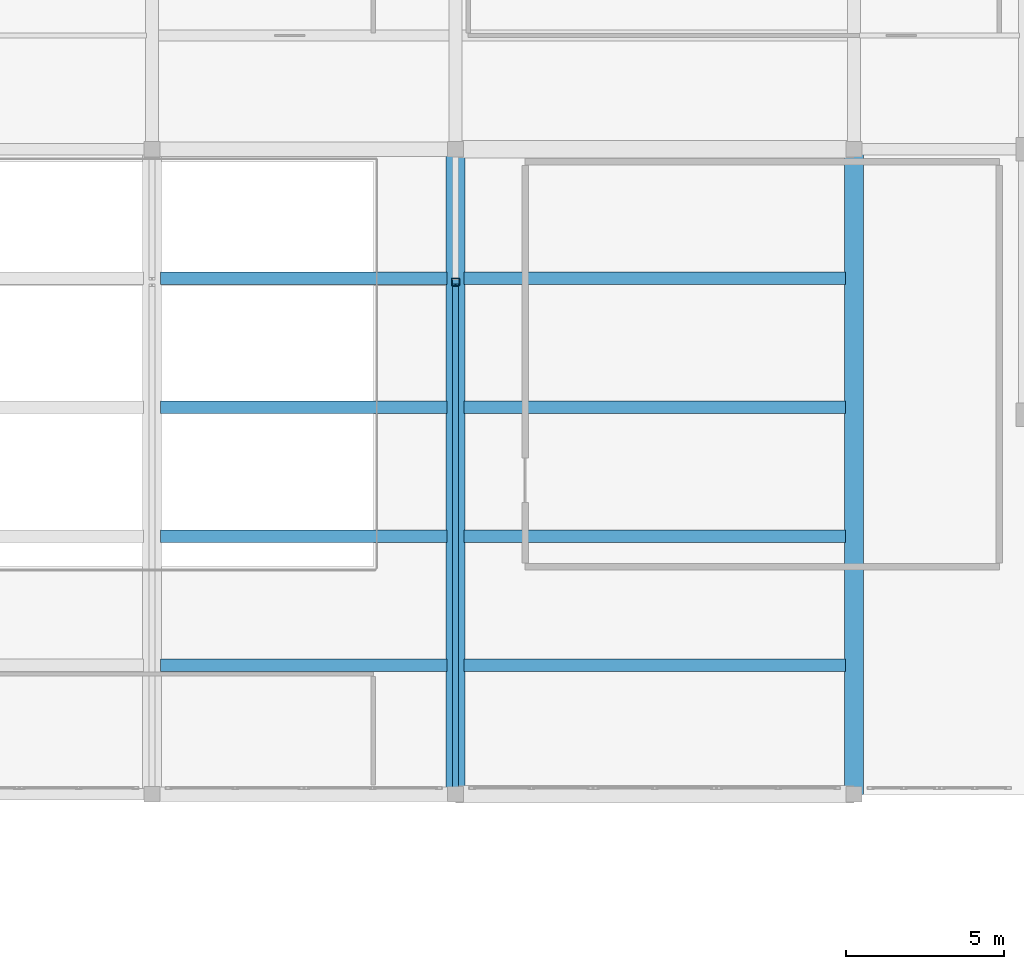
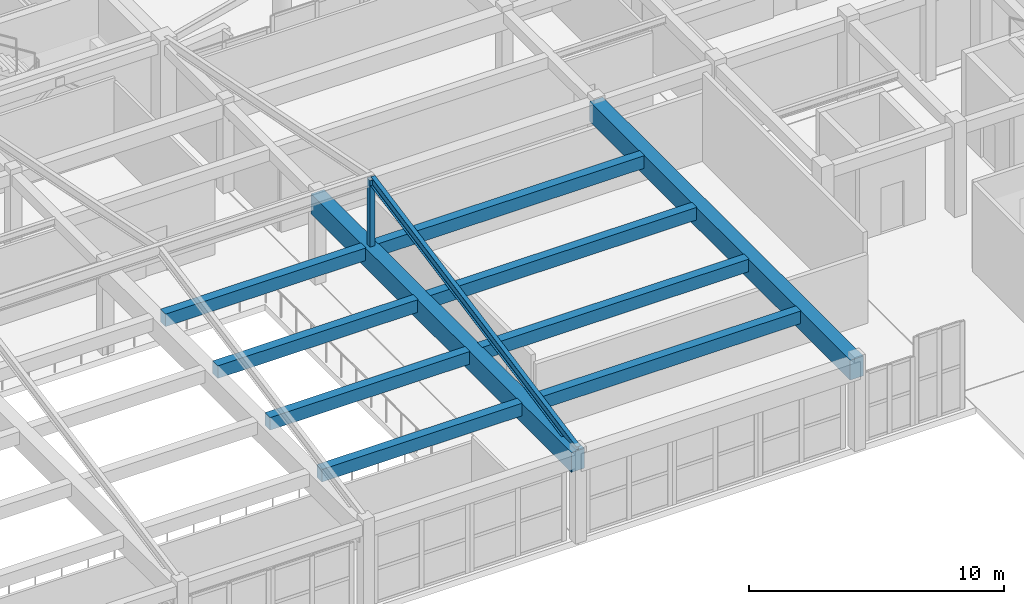
# One storey, part 33 of 91: 11 beams, 1 member.
"""IFC4 building model written with IfcOpenShell, lengths in metres."""

from ifc_helpers import new_model, si_unit, direction, frame, origin, origin_2d, place, context, subcontext, project, spatial, rectangle, hollow_rectangle, i_section, extrude, material, material_profile, profile_set, type_object, element, save


model = new_model("IFC4")

# Units and contexts
model_context = context("Model", 3, precision=1e-05, world=origin(), true_north=direction((0.0, 1.0)))
body_context = subcontext(model_context, "Body", "Model", "MODEL_VIEW")
ifc_project = project(units=[si_unit("LENGTHUNIT", "METRE"), si_unit("AREAUNIT", "SQUARE_METRE"), si_unit("VOLUMEUNIT", "CUBIC_METRE"), si_unit("PLANEANGLEUNIT", "RADIAN"), si_unit("MASSUNIT", "GRAM", prefix="KILO")], contexts=[model_context])

# Site, building, storey
site_placement = place(None, origin())
site = spatial("IfcSite", under=ifc_project, at=site_placement, CompositionType="ELEMENT")
building_placement = place(site_placement, origin())
building = spatial("IfcBuilding", under=site, at=building_placement, Name="Tarnavel Promenade Courthouse", CompositionType="ELEMENT")
storey_placement = place(building_placement, frame((0.0, 0.0, 9.89990234375)))
storey = spatial("IfcBuildingStorey", under=building, at=storey_placement, Name="L03", CompositionType="ELEMENT", Elevation=9.89990234375)

# Beams
ifc_material_1 = material(Name="Concrete C40/50", Category="concrete")
ifc_material_profile_1 = material_profile(ifc_material_1, rectangle(XDim=0.39990234375, YDim=0.60009765625, at=origin_2d()), Name="PT 400x600")
ifc_profile_set_1 = profile_set([ifc_material_profile_1], Name="Concrete C40/50")
beam_type_1 = type_object("IfcBeamType", Name="Concrete C40/50 BM-PT-400x600 (PT 400x600)", PredefinedType="JOIST", material=ifc_profile_set_1)
for number, where, z_axis, x_axis, name in (
    (1, (92.669921875, 50.8798828125, 3.945068359375), (1.0, 0.0, 0.0), (0.0, 1.0, 0.0), "L03 Secondary Floor Rib 1930"),
    (2, (92.669921875, 54.9599609375, 3.945068359375), (1.0, 0.0, 0.0), (0.0, 1.0, 0.0), "L03 Secondary Floor Rib 1931"),
    (3, (92.669921875, 59.0400390625, 3.945068359375), (1.0, 0.0, 0.0), (0.0, 1.0, 0.0), "L03 Secondary Floor Rib 1932"),
    (4, (92.669921875, 63.1201171875, 3.945068359375), (1.0, 0.0, 0.0), (0.0, 1.0, 0.0), "L03 Secondary Floor Rib 1933"),
):
    element("IfcBeam", number, at=place(storey_placement, frame(where, z_axis=z_axis, x_axis=x_axis)), inside=storey, type_object=beam_type_1, Name=name, PredefinedType="JOIST", context=body_context, shape_type="SweptSolid", body=[
        extrude(rectangle(XDim=0.39990234375, YDim=0.60009765625, at=origin_2d()), origin(), (0.0, 0.0, 1.0), 9.06005859375),
    ])
for number, where, z_axis, x_axis, name in (
    (5, (102.27001953125, 50.8798828125, 3.945068359375), (1.0, 0.0, 0.0), (0.0, 1.0, 0.0), "L03 Secondary Floor Rib 1934"),
    (6, (102.27001953125, 54.9599609375, 3.945068359375), (1.0, 0.0, 0.0), (0.0, 1.0, 0.0), "L03 Secondary Floor Rib 1935"),
    (7, (102.27001953125, 59.0400390625, 3.945068359375), (1.0, 0.0, 0.0), (0.0, 1.0, 0.0), "L03 Secondary Floor Rib 1936"),
    (8, (102.27001953125, 63.1201171875, 3.945068359375), (1.0, 0.0, 0.0), (0.0, 1.0, 0.0), "L03 Secondary Floor Rib 1937"),
):
    element("IfcBeam", number, at=place(storey_placement, frame(where, z_axis=z_axis, x_axis=x_axis)), inside=storey, type_object=beam_type_1, Name=name, PredefinedType="JOIST", context=body_context, shape_type="SweptSolid", body=[
        extrude(rectangle(XDim=0.39990234375, YDim=0.60009765625, at=origin_2d()), origin(), (0.0, 0.0, 1.0), 12.06005859375),
    ])
ifc_material_profile_2 = material_profile(ifc_material_1, rectangle(XDim=0.60009765625, YDim=0.949951171875, at=origin_2d()), Name="PT 600x950")
ifc_profile_set_2 = profile_set([ifc_material_profile_2], Name="Concrete C40/50")
beam_type_2 = type_object("IfcBeamType", Name="Concrete C40/50 BM-PT-600x950 (PT 600x950)", PredefinedType="T_BEAM", material=ifc_profile_set_2)
for number, where, z_axis, x_axis, name in (
    (9, (102.0, 46.800048828125, 3.77001953125), (0.0, 1.0, 0.0), (-1.0, 0.0, 0.0), "L03 Transverse Girder 1769"),
    (10, (114.60009765625, 46.800048828125, 3.77001953125), (0.0, 1.0, 0.0), (-1.0, 0.0, 0.0), "L03 Transverse Girder 1777"),
):
    element("IfcBeam", number, at=place(storey_placement, frame(where, z_axis=z_axis, x_axis=x_axis)), inside=storey, type_object=beam_type_2, Name=name, PredefinedType="T_BEAM", context=body_context, shape_type="SweptSolid", body=[
        extrude(rectangle(XDim=0.60009765625, YDim=0.949951171875, at=origin_2d()), origin(), (0.0, 0.0, 1.0), 20.39990234375),
    ])
ifc_material_2 = material(Name="Steel S355J2", Category="steel")
ifc_material_profile_3 = material_profile(ifc_material_2, i_section(OverallWidth=0.18994140625, OverallDepth=0.449951171875, WebThickness=0.009521484375, FlangeThickness=0.0146484375, FilletRadius=0.02099609375, at=origin_2d()), Name="IPE 450")
ifc_profile_set_3 = profile_set([ifc_material_profile_3], Name="Steel S355J2")
beam_type_3 = type_object("IfcBeamType", Name="Steel S355J2 BM-ST-IPE450 (IPE 450)", PredefinedType="BEAM", material=ifc_profile_set_3)
beam_placement = place(storey_placement, frame((102.0, 46.800048828125, 4.239990234375), z_axis=(0.0, 0.981264451334, 0.192665711916), x_axis=(-1.0, 0.0, 0.0)))
element("IfcBeam", 11, at=beam_placement, inside=storey, type_object=beam_type_3, Name="Winter-Garden Roof Rafter South 102", PredefinedType="BEAM", context=body_context, shape_type="SweptSolid", body=[
    extrude(i_section(OverallWidth=0.18994140625, OverallDepth=0.449951171875, WebThickness=0.009521484375, FlangeThickness=0.0146484375, FilletRadius=0.02099609375, at=origin_2d()), origin(), (0.0, 0.0, 1.0), 16.40234375),
])

# Member
ifc_material_profile_4 = material_profile(ifc_material_2, hollow_rectangle(XDim=0.25, YDim=0.25, WallThickness=0.012451171875, InnerFilletRadius=0.012451171875, OuterFilletRadius=0.02490234375, at=origin_2d()), Name="SHS 250x250x12.5")
ifc_profile_set_4 = profile_set([ifc_material_profile_4], Name="Steel S355J2")
member_type = type_object("IfcMemberType", Name="Steel S355J2 MEM-STR-SHS250 (SHS 250x250x12.5)", PredefinedType="STRUT", material=ifc_profile_set_4)
member_placement = place(storey_placement, frame((102.0, 63.0, 3.800048828125), z_axis=(0.0, 0.0, 1.0), x_axis=(1.0, 0.0, 0.0)))
element("IfcMember", 12, at=member_placement, inside=storey, type_object=member_type, Name="Winter-Garden Ridge King-Post 102", PredefinedType="STRUT", context=body_context, shape_type="SweptSolid", body=[
    extrude(hollow_rectangle(XDim=0.25, YDim=0.25, WallThickness=0.012451171875, InnerFilletRadius=0.012451171875, OuterFilletRadius=0.02490234375, at=origin_2d()), origin(), (0.0, 0.0, 1.0), 3.6201171875),
])

save(model, "model.ifc")
